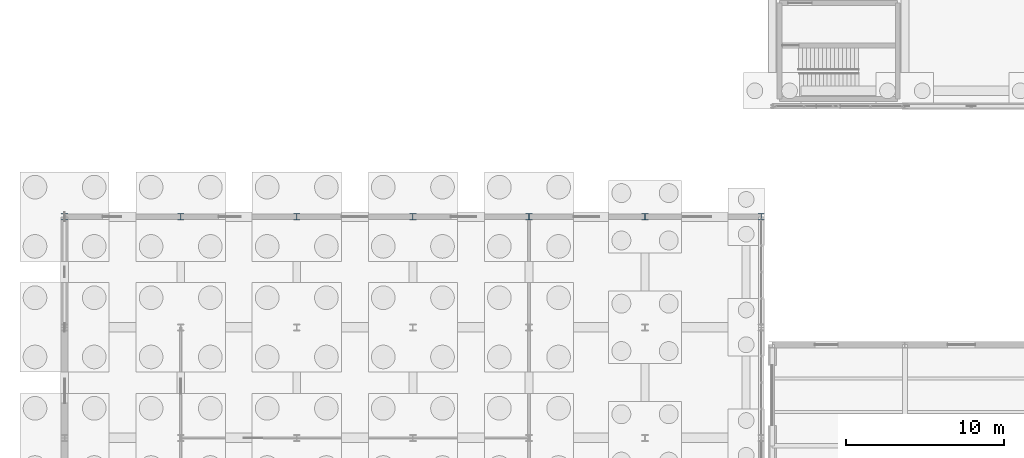
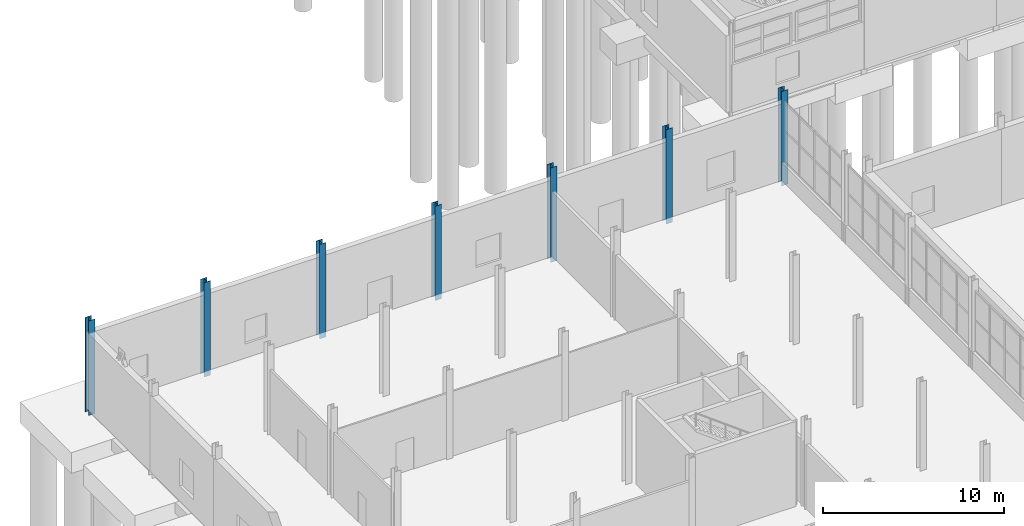
# One storey, part 22 of 139: 7 columns.
"""IFC4 building model written with IfcOpenShell, lengths in metres."""

from ifc_helpers import new_model, si_unit, direction, frame, origin, origin_2d, place, context, subcontext, project, spatial, i_section, extrude, material, material_profile, profile_set, type_object, element, save


model = new_model("IFC4")

# Units and contexts
model_context = context("Model", 3, precision=1e-05, world=origin(), true_north=direction((0.0, 1.0)))
body_context = subcontext(model_context, "Body", "Model", "MODEL_VIEW")
ifc_project = project(units=[si_unit("LENGTHUNIT", "METRE"), si_unit("AREAUNIT", "SQUARE_METRE"), si_unit("VOLUMEUNIT", "CUBIC_METRE"), si_unit("PLANEANGLEUNIT", "RADIAN"), si_unit("MASSUNIT", "GRAM", prefix="KILO")], contexts=[model_context])

# Site, building, storey
site_placement = place(None, origin())
site = spatial("IfcSite", under=ifc_project, at=site_placement, CompositionType="ELEMENT")
building_placement = place(site_placement, origin())
building = spatial("IfcBuilding", under=site, at=building_placement, Name="Kazenagashi Tramway Depot", CompositionType="ELEMENT")
storey_placement = place(building_placement, origin())
storey = spatial("IfcBuildingStorey", under=building, at=storey_placement, Name="L01", CompositionType="ELEMENT", Elevation=0.0)

# Columns
ifc_material = material(Name="Steel SN490B", Category="steel")
ifc_material_profile = material_profile(ifc_material, i_section(OverallWidth=0.4, OverallDepth=0.4, WebThickness=0.013, FlangeThickness=0.021, at=origin_2d()), Name="H-400x400x13x21")
ifc_profile_set = profile_set([ifc_material_profile], Name="Steel SN490B")
column_type = type_object("IfcColumnType", Name="C-03", PredefinedType="COLUMN", material=ifc_profile_set)
for number, where, z_axis, x_axis, name in (
    (1, (0.0, 63.0, -0.35), (0.0, 0.0, 1.0), (1.0, 0.0, 0.0), "Column C-03 COL-0571"),
    (2, (7.35, 63.0, -0.35), (0.0, 0.0, 1.0), (1.0, 0.0, 0.0), "Column C-03 COL-0613"),
    (3, (14.7, 63.0, -0.35), (0.0, 0.0, 1.0), (1.0, 0.0, 0.0), "Column C-03 COL-0658"),
    (4, (22.05, 63.0, -0.35), (0.0, 0.0, 1.0), (1.0, 0.0, 0.0), "Column C-03 COL-0700"),
    (5, (29.4, 63.0, -0.35), (0.0, 0.0, 1.0), (1.0, 0.0, 0.0), "Column C-03 COL-0745"),
    (6, (36.75, 63.0, -0.35), (0.0, 0.0, 1.0), (1.0, 0.0, 0.0), "Column C-03 COL-0783"),
    (7, (44.1, 63.0, -0.35), (0.0, 0.0, 1.0), (1.0, 0.0, 0.0), "Column C-03 COL-0804"),
):
    element("IfcColumn", number, at=place(storey_placement, frame(where, z_axis=z_axis, x_axis=x_axis)), inside=storey, type_object=column_type, Name=name, PredefinedType="COLUMN", context=body_context, shape_type="SweptSolid", body=[
        extrude(i_section(OverallWidth=0.4, OverallDepth=0.4, WebThickness=0.013, FlangeThickness=0.021, at=origin_2d()), origin(), (0.0, 0.0, 1.0), 6.35),
    ])

save(model, "model.ifc")
